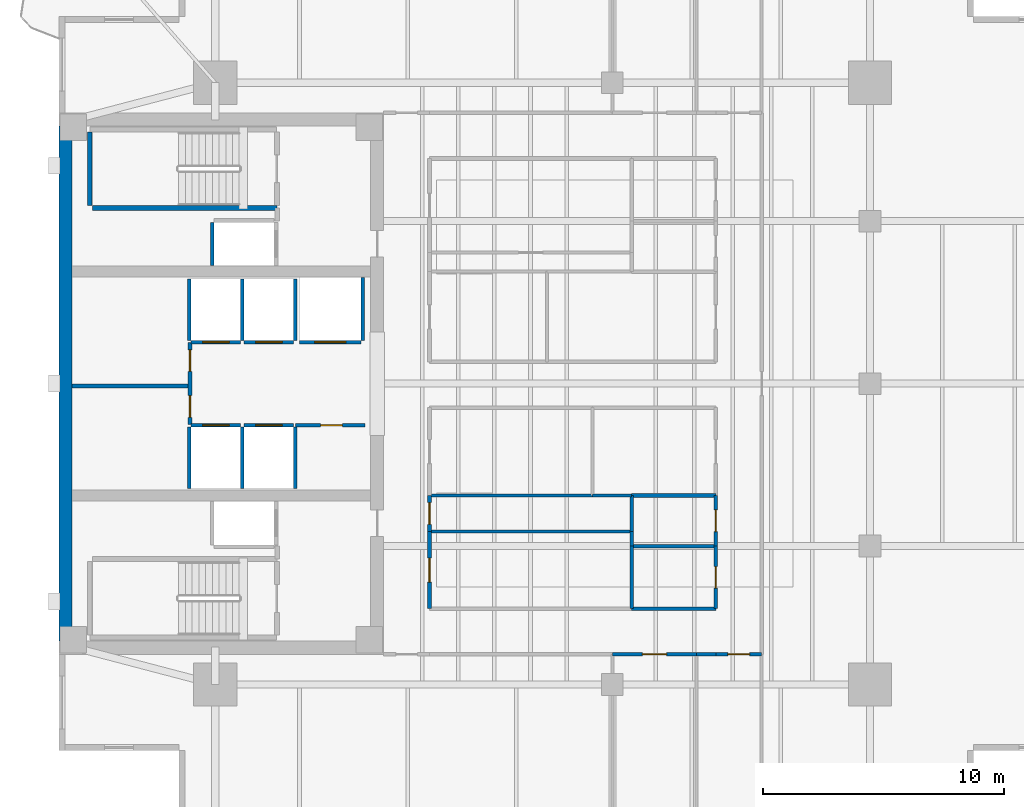
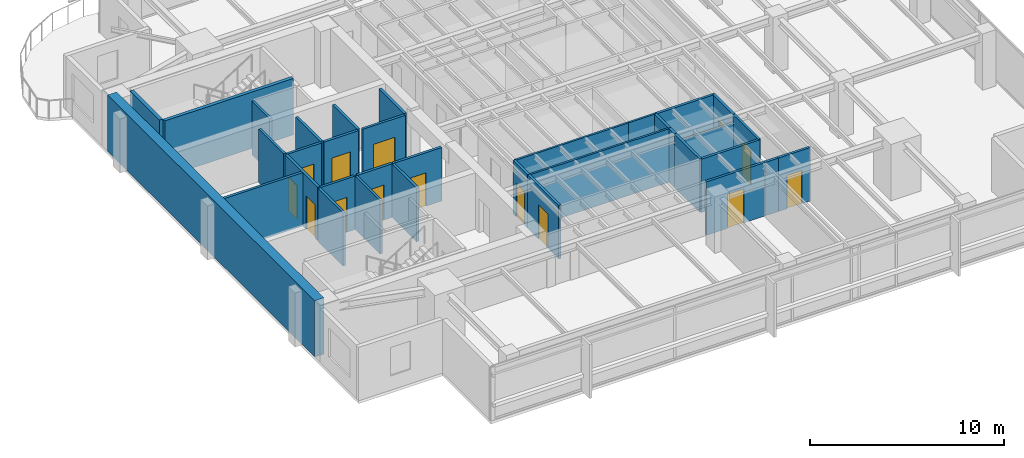
# One storey, part 8 of 14: 35 walls, 14 doors, 14 openings.
"""IFC4 building model written with IfcOpenShell, lengths in metres."""

import ifcopenshell
import ifcopenshell.guid

model = None  # the IFC model being written
_history = None  # IfcOwnerHistory: only IFC2X3 demands one
_inside = {}  # id of a spatial element -> (the spatial element, [elements in it])
_under = {}  # id of a project, library or spatial element -> (it, [spatial elements below it])
_declared = {}  # id of a project -> (the project, [libraries it declares])
_typed = {}  # id of a type object -> (the type object, [elements of that type])
_made_of = {}  # id of a material, layer set ... -> (it, [elements and type objects made of it])


def new_model(schema):
    """Start an empty IFC model of exactly this schema.

    Asked for "IFC4X3", IfcOpenShell would pick the latest addendum, in which some entities
    have other attributes; the version numbers below select the first issue.
    IFC2X3 requires an IfcOwnerHistory on every rooted entity: one is made here for all.
    """
    global model, _history
    if schema == "IFC4X3":
        model = ifcopenshell.file(schema_version=(4, 3, 0, 0))
    else:
        model = ifcopenshell.file(schema=schema)
    _inside.clear()
    _under.clear()
    _declared.clear()
    _typed.clear()
    _made_of.clear()
    _history = None
    if model.schema == "IFC2X3":
        org = make("IfcOrganization", Name="unknown")
        user = make(
            "IfcPersonAndOrganization",
            ThePerson=make("IfcPerson", FamilyName="unknown"),
            TheOrganization=org,
        )
        app = make(
            "IfcApplication",
            ApplicationDeveloper=org,
            Version="unknown",
            ApplicationFullName="unknown",
            ApplicationIdentifier="unknown",
        )
        _history = make(
            "IfcOwnerHistory",
            OwningUser=user,
            OwningApplication=app,
            ChangeAction="ADDED",
            CreationDate=0,
        )
    return model


def make(cls, **values):
    """One entity of the class cls with the attributes given. An attribute that is None is left unset."""
    return model.create_entity(
        cls, **{name: value for name, value in values.items() if value is not None}
    )


def rooted(cls, **values):
    """An entity with a GlobalId (a new one), such as an element, a storey or a relation."""
    return make(cls, GlobalId=ifcopenshell.guid.new(), OwnerHistory=_history, **values)


def si_unit(unit_type, name, prefix=None):
    """IfcSIUnit, for example si_unit("LENGTHUNIT", "METRE", prefix="MILLI")."""
    return make("IfcSIUnit", UnitType=unit_type, Prefix=prefix, Name=name)


def assignment(units):
    """IfcUnitAssignment: the units of a project."""
    return None if units is None else make("IfcUnitAssignment", Units=units)


def point(xyz):
    """IfcCartesianPoint."""
    return None if xyz is None else make("IfcCartesianPoint", Coordinates=xyz)


def direction(xyz):
    """IfcDirection."""
    return None if xyz is None else make("IfcDirection", DirectionRatios=xyz)


def frame(location, z_axis=None, x_axis=None):
    """IfcAxis2Placement3D, a coordinate frame: its origin and axes. An axis left out is left unset."""
    return make(
        "IfcAxis2Placement3D",
        Location=point(location),
        Axis=direction(z_axis),
        RefDirection=direction(x_axis),
    )


def frame_2d(location, x_axis=None):
    """IfcAxis2Placement2D, a coordinate frame in the plane: its origin and x axis."""
    return make(
        "IfcAxis2Placement2D", Location=point(location), RefDirection=direction(x_axis)
    )


def origin():
    """The frame at (0, 0, 0) with its axes left unset."""
    return frame((0.0, 0.0, 0.0))


def place(relative_to, where):
    """IfcLocalPlacement: puts the frame where relative to a parent placement (None: the world)."""
    return make(
        "IfcLocalPlacement", PlacementRelTo=relative_to, RelativePlacement=where
    )


def context(
    kind, dimensions, precision=None, world=None, true_north=None, identifier=None
):
    """IfcGeometricRepresentationContext, for example the 3D "Model" context."""
    return make(
        "IfcGeometricRepresentationContext",
        ContextIdentifier=identifier,
        ContextType=kind,
        CoordinateSpaceDimension=dimensions,
        Precision=precision,
        WorldCoordinateSystem=world,
        TrueNorth=true_north,
    )


def subcontext(parent, identifier, kind, view, scale=None):
    """IfcGeometricRepresentationSubContext, for example "Body" below "Model"."""
    return make(
        "IfcGeometricRepresentationSubContext",
        ContextIdentifier=identifier,
        ContextType=kind,
        ParentContext=parent,
        TargetScale=scale,
        TargetView=view,
    )


def project(units=None, contexts=None):
    """IfcProject with its units and contexts."""
    return rooted(
        "IfcProject",
        Name="project",
        RepresentationContexts=contexts,
        UnitsInContext=assignment(units),
    )


def spatial(cls, under=None, at=None, **own):
    """A site, building, storey or space (cls), placed at a placement, below another one or the project."""
    s = rooted(cls, ObjectPlacement=at, **own)
    if under is not None:
        _under.setdefault(under.id(), (under, []))[1].append(s)
    return s


def profile(cls, at=None, kind="AREA", **sizes):
    """A parametric profile (cls). Its sizes go by their IFC names, for example OverallWidth=200.0."""
    return make(cls, ProfileType=kind, Position=at, **sizes)


def rectangle(**sizes):
    """IfcRectangleProfileDef."""
    return profile("IfcRectangleProfileDef", **sizes)


def extrude(swept, where, along, depth):
    """IfcExtrudedAreaSolid: the profile swept, set in the frame where, extruded along a direction by depth."""
    return make(
        "IfcExtrudedAreaSolid",
        SweptArea=swept,
        Position=where,
        ExtrudedDirection=direction(along),
        Depth=depth,
    )


def shape(context_of_items, identifier, shape_type, items):
    """IfcShapeRepresentation: the items that make up one representation, for example the "Body"."""
    return make(
        "IfcShapeRepresentation",
        ContextOfItems=context_of_items,
        RepresentationIdentifier=identifier,
        RepresentationType=shape_type,
        Items=items,
    )


def material(Name=None, Category=None):
    """IfcMaterial."""
    return make("IfcMaterial", Name=Name, Category=Category)


def layer(
    of_material, thickness, ventilated=None, Name=None, Category=None, Priority=None
):
    """IfcMaterialLayer: one layer of a wall or slab, of a material (None: an air gap)."""
    return make(
        "IfcMaterialLayer",
        Material=of_material,
        LayerThickness=thickness,
        IsVentilated=ventilated,
        Name=Name,
        Category=Category,
        Priority=Priority,
    )


def layer_set(layers, Name=None):
    """IfcMaterialLayerSet."""
    return make("IfcMaterialLayerSet", MaterialLayers=layers, LayerSetName=Name)


def made_of(thing, what):
    """Note that an element or type object is made of a material, layer set ...; save() writes the relation."""
    if what is not None:
        _made_of.setdefault(what.id(), (what, []))[1].append(thing)
    return thing


def type_object(cls, material=None, **own):
    """A type object (cls), such as IfcWallType, which elements share."""
    return made_of(rooted(cls, **own), material)


def element(
    cls,
    number,
    at=None,
    inside=None,
    cuts=None,
    type_object=None,
    material=None,
    context=None,
    identifier="Body",
    shape_type=None,
    held_by="IfcProductDefinitionShape",
    body=None,
    shapes=None,
    **own,
):
    """One element of the class cls, such as IfcWall. Its Tag is "e" and its number.

    at: its placement. inside: the storey or other place that contains it. cuts: it is an
    opening in that element (IfcRelVoidsElement). A single representation is given by context,
    identifier, shape_type and body (its items); several are given by shapes. held_by: the class
    of the entity that holds the representations. save() writes the other relations.
    """
    e = rooted(cls, Tag="e%d" % number, ObjectPlacement=at, **own)
    if body is not None:
        shapes = [shape(context, identifier, shape_type, body)]
    if shapes is not None:
        e.Representation = make(held_by, Representations=shapes)
    if inside is not None:
        _inside.setdefault(inside.id(), (inside, []))[1].append(e)
    if cuts is not None:
        rooted(
            "IfcRelVoidsElement", RelatingBuildingElement=cuts, RelatedOpeningElement=e
        )
    if type_object is not None:
        _typed.setdefault(type_object.id(), (type_object, []))[1].append(e)
    return made_of(e, material)


def fill(opening, filler):
    """IfcRelFillsElement: the door or window that sits in an opening."""
    return rooted(
        "IfcRelFillsElement",
        RelatingOpeningElement=opening,
        RelatedBuildingElement=filler,
    )


def aggregate(whole, parts):
    """IfcRelAggregates: a whole, such as a stair, and the parts it consists of."""
    return rooted("IfcRelAggregates", RelatingObject=whole, RelatedObjects=parts)


def save(model, path):
    """Write the relations noted so far, then the file.

    IfcRelAggregates (storeys below a building ...), IfcRelContainedInSpatialStructure (elements
    in a storey), IfcRelDefinesByType, IfcRelAssociatesMaterial and IfcRelDeclares: one each for
    every whole, place, type object, material and project.
    """
    for whole, parts in _under.values():
        aggregate(whole, parts)
    for where, things in _inside.values():
        rooted(
            "IfcRelContainedInSpatialStructure",
            RelatedElements=things,
            RelatingStructure=where,
        )
    for kind, things in _typed.values():
        rooted("IfcRelDefinesByType", RelatedObjects=things, RelatingType=kind)
    for what, things in _made_of.values():
        rooted("IfcRelAssociatesMaterial", RelatedObjects=things, RelatingMaterial=what)
    for by, libraries in _declared.values():
        rooted("IfcRelDeclares", RelatingContext=by, RelatedDefinitions=libraries)
    model.write(path)


model = new_model("IFC4")

# Units and contexts
model_context = context("Model", 3, precision=1e-05, world=origin(), true_north=direction((0.0, 1.0)))
body_context = subcontext(model_context, "Body", "Model", "MODEL_VIEW")
ifc_project = project(units=[si_unit("LENGTHUNIT", "METRE"), si_unit("AREAUNIT", "SQUARE_METRE"), si_unit("VOLUMEUNIT", "CUBIC_METRE"), si_unit("PLANEANGLEUNIT", "RADIAN"), si_unit("MASSUNIT", "GRAM", prefix="KILO")], contexts=[model_context])

# Site, building, storey
site_placement = place(None, origin())
site = spatial("IfcSite", under=ifc_project, at=site_placement, CompositionType="ELEMENT")
building_placement = place(site_placement, origin())
building = spatial("IfcBuilding", under=site, at=building_placement, Name="Kinhvarn Gate Tower", CompositionType="ELEMENT")
storey_placement = place(building_placement, frame((0.0, 0.0, 216.449951171875)))
storey = spatial("IfcBuildingStorey", under=building, at=storey_placement, Name="L57", CompositionType="ELEMENT", Elevation=216.449951171875)

# Walls
ifc_material_1 = material(Name="Concrete C60/75", Category="concrete")
ifc_layer_1 = layer(ifc_material_1, 0.550048828125)
ifc_layer_set_1 = layer_set([ifc_layer_1], Name="Concrete C60/75")
wall_type_1 = type_object("IfcWallType", Name="WL-COREX-550", PredefinedType="SHEAR", material=ifc_layer_set_1)
wall_1_placement = place(storey_placement, frame((4.77490234375, 14.550048828125, 0.0), z_axis=(0.0, 0.0, 1.0), x_axis=(0.0, 1.0, 0.0)))
element("IfcWall", 1, at=wall_1_placement, inside=storey, type_object=wall_type_1, Name="Core West Shear Wall L57 550 mm", PredefinedType="SHEAR", context=body_context, shape_type="SweptSolid", body=[
    extrude(rectangle(XDim=21.39990234375, YDim=0.550048828125, at=frame_2d((10.699951171875, 0.0))), origin(), (0.0, 0.0, 1.0), 3.550048828125),
])
ifc_material_2 = material(Name="Gypsum acoustic partition board")
ifc_layer_2 = layer(ifc_material_2, 0.14990234375)
ifc_layer_set_2 = layer_set([ifc_layer_2], Name="Gypsum acoustic partition board")
wall_type_2 = type_object("IfcWallType", Name="WL-PLM-150", PredefinedType="PLUMBINGWALL", material=ifc_layer_set_2)
wall_2_placement = place(storey_placement, frame((28.300048828125, 18.5, 0.0), z_axis=(0.0, 0.0, 1.0), x_axis=(1.0, 0.0, 0.0)))
element("IfcWall", 2, at=wall_2_placement, inside=storey, type_object=wall_type_2, Name="Interior Partition PLW-150 (L57)", PredefinedType="PLUMBINGWALL", context=body_context, shape_type="SweptSolid", body=[
    extrude(rectangle(XDim=3.5, YDim=0.14990234375, at=frame_2d((1.75, 0.0))), origin(), (0.0, 0.0, 1.0), 2.8701171875),
])
wall_3_placement = place(storey_placement, frame((28.300048828125, 15.89990234375, 0.0), z_axis=(0.0, 0.0, 1.0), x_axis=(0.0, 1.0, 0.0)))
element("IfcWall", 3, at=wall_3_placement, inside=storey, type_object=wall_type_2, Name="Interior Partition PLW-150 (L57)", PredefinedType="PLUMBINGWALL", context=body_context, shape_type="SweptSolid", body=[
    extrude(rectangle(XDim=2.60009765625, YDim=0.14990234375, at=frame_2d((1.300048828125, 0.0))), origin(), (0.0, 0.0, 1.0), 3.3701171875),
])
wall_4_placement = place(storey_placement, frame((28.300048828125, 18.5, 0.0), z_axis=(0.0, 0.0, 1.0), x_axis=(0.0, 1.0, 0.0)))
element("IfcWall", 4, at=wall_4_placement, inside=storey, type_object=wall_type_2, Name="Interior Partition PLW-150 (L57)", PredefinedType="PLUMBINGWALL", context=body_context, shape_type="SweptSolid", body=[
    extrude(rectangle(XDim=0.60009765625, YDim=0.14990234375, at=frame_2d((0.300048828125, 0.0))), origin(), (0.0, 0.0, 1.0), 3.3701171875),
])
wall_5_placement = place(storey_placement, frame((28.300048828125, 19.10009765625, 0.0), z_axis=(0.0, 0.0, 1.0), x_axis=(0.0, 1.0, 0.0)))
element("IfcWall", 5, at=wall_5_placement, inside=storey, type_object=wall_type_2, Name="Interior Partition PLW-150 (L57)", PredefinedType="PLUMBINGWALL", context=body_context, shape_type="SweptSolid", body=[
    extrude(rectangle(XDim=1.5, YDim=0.14990234375, at=frame_2d((0.75, 0.0))), origin(), (0.0, 0.0, 1.0), 3.3701171875),
])
wall_6_placement = place(storey_placement, frame((28.300048828125, 20.60009765625, 0.0), z_axis=(0.0, 0.0, 1.0), x_axis=(1.0, 0.0, 0.0)))
element("IfcWall", 6, at=wall_6_placement, inside=storey, type_object=wall_type_2, Name="Interior Partition PLW-150 (L57)", PredefinedType="PLUMBINGWALL", context=body_context, shape_type="SweptSolid", body=[
    extrude(rectangle(XDim=3.5, YDim=0.14990234375, at=frame_2d((1.75, 0.0))), origin(), (0.0, 0.0, 1.0), 3.3701171875),
])

# Wall, opening, door
ifc_layer_3 = layer(ifc_material_2, 0.14990234375)
ifc_layer_set_3 = layer_set([ifc_layer_3], Name="Gypsum acoustic partition board")
wall_type_3 = type_object("IfcWallType", Name="WL-PLM-150F", PredefinedType="PLUMBINGWALL", material=ifc_layer_set_3)
wall_7_placement = place(storey_placement, frame((31.800048828125, 15.89990234375, 0.0), z_axis=(0.0, 0.0, 1.0), x_axis=(0.0, 1.0, 0.0)))
wall_7 = element("IfcWall", 7, at=wall_7_placement, inside=storey, type_object=wall_type_3, Name="Interior Partition PLW-150F (L57)", PredefinedType="PLUMBINGWALL", context=body_context, shape_type="SweptSolid", body=[
    extrude(rectangle(XDim=2.60009765625, YDim=0.14990234375, at=frame_2d((1.300048828125, 0.0))), origin(), (0.0, 0.0, 1.0), 3.3701171875),
])
opening_1_placement = place(wall_7_placement, frame((0.85009765625, 0.0, 0.0)))
opening_1 = element("IfcOpeningElement", 8, at=opening_1_placement, cuts=wall_7, Name="Opening FD-04", PredefinedType="OPENING", context=body_context, shape_type="SweptSolid", body=[
    extrude(rectangle(XDim=0.89990234375, YDim=2.10009765625, at=frame_2d((0.449951171875, 1.050048828125))), frame((0.0, 0.0849609375, 0.0), z_axis=(0.0, -1.0, 0.0), x_axis=(1.0, 0.0, 0.0)), (0.0, 0.0, 1.0), 0.169921875),
])
ifc_material_3 = material(Name="Anodised aluminium AW-6063", Category="aluminium")
door_type_1 = type_object("IfcDoorType", Name="DR-FD-900", OperationType="NOTDEFINED", PredefinedType="DOOR", material=ifc_material_3)
door_1_placement = place(opening_1_placement, origin())
door_1 = element("IfcDoor", 9, at=door_1_placement, inside=storey, type_object=door_type_1, Name="Rated Riser & Service Closet Fire Door 900x2100 mm (L57)", OperationType="SINGLE_SWING_RIGHT", OverallHeight=2.10009765625, OverallWidth=0.89990234375, PredefinedType="DOOR", context=body_context, shape_type="SweptSolid", body=[
    extrude(rectangle(XDim=0.89990234375, YDim=2.10009765625, at=frame_2d((0.449951171875, 1.050048828125))), frame((0.0, 0.02490234375, 0.0), z_axis=(0.0, -1.0, 0.0), x_axis=(1.0, 0.0, 0.0)), (0.0, 0.0, 1.0), 0.050048828125),
])
fill(opening_1, door_1)

wall_8_placement = place(storey_placement, frame((31.800048828125, 18.5, 0.0), z_axis=(0.0, 0.0, 1.0), x_axis=(0.0, 1.0, 0.0)))
wall_8 = element("IfcWall", 10, at=wall_8_placement, inside=storey, type_object=wall_type_3, Name="Interior Partition PLW-150F (L57)", PredefinedType="PLUMBINGWALL", context=body_context, shape_type="SweptSolid", body=[
    extrude(rectangle(XDim=2.10009765625, YDim=0.14990234375, at=frame_2d((1.050048828125, 0.0))), origin(), (0.0, 0.0, 1.0), 3.3701171875),
])
opening_2_placement = place(wall_8_placement, frame((0.60009765625, 0.0, 0.0)))
opening_2 = element("IfcOpeningElement", 11, at=opening_2_placement, cuts=wall_8, Name="Opening FD-04", PredefinedType="OPENING", context=body_context, shape_type="SweptSolid", body=[
    extrude(rectangle(XDim=0.89990234375, YDim=2.10009765625, at=frame_2d((0.449951171875, 1.050048828125))), frame((0.0, 0.0849609375, 0.0), z_axis=(0.0, -1.0, 0.0), x_axis=(1.0, 0.0, 0.0)), (0.0, 0.0, 1.0), 0.169921875),
])
door_2_placement = place(opening_2_placement, origin())
door_2 = element("IfcDoor", 12, at=door_2_placement, inside=storey, type_object=door_type_1, Name="Rated Riser & Service Closet Fire Door 900x2100 mm (L57)", OperationType="SINGLE_SWING_RIGHT", OverallHeight=2.10009765625, OverallWidth=0.89990234375, PredefinedType="DOOR", context=body_context, shape_type="SweptSolid", body=[
    extrude(rectangle(XDim=0.89990234375, YDim=2.10009765625, at=frame_2d((0.449951171875, 1.050048828125))), frame((0.0, 0.02490234375, 0.0), z_axis=(0.0, -1.0, 0.0), x_axis=(1.0, 0.0, 0.0)), (0.0, 0.0, 1.0), 0.050048828125),
])
fill(opening_2, door_2)

# Walls
wall_9_placement = place(storey_placement, frame((28.300048828125, 15.89990234375, 0.0), z_axis=(0.0, 0.0, 1.0), x_axis=(1.0, 0.0, 0.0)))
element("IfcWall", 13, at=wall_9_placement, inside=storey, type_object=wall_type_3, Name="Interior Partition PLW-150F (L57)", PredefinedType="PLUMBINGWALL", context=body_context, shape_type="SweptSolid", body=[
    extrude(rectangle(XDim=3.5, YDim=0.14990234375, at=frame_2d((1.75, 0.0))), origin(), (0.0, 0.0, 1.0), 3.3701171875),
])
ifc_layer_4 = layer(ifc_material_2, 0.1201171875)
ifc_layer_set_4 = layer_set([ifc_layer_4], Name="Gypsum acoustic partition board")
wall_type_4 = type_object("IfcWallType", Name="WL-PRT-120", PredefinedType="PARTITIONING", material=ifc_layer_set_4)
wall_10_placement = place(storey_placement, frame((19.89990234375, 19.10009765625, 0.0), z_axis=(0.0, 0.0, 1.0), x_axis=(1.0, 0.0, 0.0)))
element("IfcWall", 14, at=wall_10_placement, inside=storey, type_object=wall_type_4, Name="Interior Partition PW-120 (L57)", PredefinedType="PARTITIONING", context=body_context, shape_type="SweptSolid", body=[
    extrude(rectangle(XDim=8.400146484375, YDim=0.1201171875, at=frame_2d((4.2001953125, 0.0))), origin(), (0.0, 0.0, 1.0), 3.3701171875),
])
wall_11_placement = place(storey_placement, frame((19.89990234375, 20.60009765625, 0.0), z_axis=(0.0, 0.0, 1.0), x_axis=(1.0, 0.0, 0.0)))
element("IfcWall", 15, at=wall_11_placement, inside=storey, type_object=wall_type_4, Name="Interior Partition PW-120 (L57)", PredefinedType="PARTITIONING", context=body_context, shape_type="SweptSolid", body=[
    extrude(rectangle(XDim=6.780029296875, YDim=0.1201171875, at=frame_2d((3.39013671875, 0.0))), origin(), (0.0, 0.0, 1.0), 3.3701171875),
])
wall_12_placement = place(storey_placement, frame((26.679931640625, 20.60009765625, 0.0), z_axis=(0.0, 0.0, 1.0), x_axis=(1.0, 0.0, 0.0)))
element("IfcWall", 16, at=wall_12_placement, inside=storey, type_object=wall_type_4, Name="Interior Partition PW-120 (L57)", PredefinedType="PARTITIONING", context=body_context, shape_type="SweptSolid", body=[
    extrude(rectangle(XDim=1.6201171875, YDim=0.1201171875, at=frame_2d((0.81005859375, 0.0))), origin(), (0.0, 0.0, 1.0), 3.3701171875),
])
ifc_layer_5 = layer(ifc_material_2, 0.14990234375)
ifc_layer_set_5 = layer_set([ifc_layer_5], Name="Gypsum acoustic partition board")
wall_type_5 = type_object("IfcWallType", Name="WL-PRT-150F", PredefinedType="PARTITIONING", material=ifc_layer_set_5)
wall_13_placement = place(storey_placement, frame((5.050048828125, 25.14990234375, 0.0), z_axis=(0.0, 0.0, 1.0), x_axis=(1.0, 0.0, 0.0)))
element("IfcWall", 17, at=wall_13_placement, inside=storey, type_object=wall_type_5, Name="Interior Partition PW-150F (L57)", PredefinedType="PARTITIONING", context=body_context, shape_type="SweptSolid", body=[
    extrude(rectangle(XDim=4.89990234375, YDim=0.14990234375, at=frame_2d((2.449951171875, 0.0))), origin(), (0.0, 0.0, 1.0), 3.3701171875),
])

# Wall, openings, doors
wall_14_placement = place(storey_placement, frame((9.949951171875, 23.550048828125, 0.0), z_axis=(0.0, 0.0, 1.0), x_axis=(0.0, 1.0, 0.0)))
wall_14 = element("IfcWall", 18, at=wall_14_placement, inside=storey, type_object=wall_type_5, Name="Interior Partition PW-150F (L57)", PredefinedType="PARTITIONING", context=body_context, shape_type="SweptSolid", body=[
    extrude(rectangle(XDim=3.39990234375, YDim=0.14990234375, at=frame_2d((1.699951171875, 0.0))), origin(), (0.0, 0.0, 1.0), 3.3701171875),
])
opening_3_placement = place(wall_14_placement, frame((0.298095703125, 0.0, 0.0)))
opening_3 = element("IfcOpeningElement", 19, at=opening_3_placement, cuts=wall_14, Name="Opening FD-04", PredefinedType="OPENING", context=body_context, shape_type="SweptSolid", body=[
    extrude(rectangle(XDim=0.89990234375, YDim=2.10009765625, at=frame_2d((0.449951171875, 1.050048828125))), frame((0.0, 0.0849609375, 0.0), z_axis=(0.0, -1.0, 0.0), x_axis=(1.0, 0.0, 0.0)), (0.0, 0.0, 1.0), 0.169921875),
])
opening_4_placement = place(wall_14_placement, frame((2.201904296875, 0.0, 0.0)))
opening_4 = element("IfcOpeningElement", 20, at=opening_4_placement, cuts=wall_14, Name="Opening FD-04", PredefinedType="OPENING", context=body_context, shape_type="SweptSolid", body=[
    extrude(rectangle(XDim=0.89990234375, YDim=2.10009765625, at=frame_2d((0.449951171875, 1.050048828125))), frame((0.0, 0.0849609375, 0.0), z_axis=(0.0, -1.0, 0.0), x_axis=(1.0, 0.0, 0.0)), (0.0, 0.0, 1.0), 0.169921875),
])
door_3_placement = place(opening_3_placement, origin())
door_3 = element("IfcDoor", 21, at=door_3_placement, inside=storey, type_object=door_type_1, Name="Rated Riser & Service Closet Fire Door 900x2100 mm (L57)", OperationType="SINGLE_SWING_RIGHT", OverallHeight=2.10009765625, OverallWidth=0.89990234375, PredefinedType="DOOR", context=body_context, shape_type="SweptSolid", body=[
    extrude(rectangle(XDim=0.89990234375, YDim=2.10009765625, at=frame_2d((0.449951171875, 1.050048828125))), frame((0.0, 0.02490234375, 0.0), z_axis=(0.0, -1.0, 0.0), x_axis=(1.0, 0.0, 0.0)), (0.0, 0.0, 1.0), 0.050048828125),
])
fill(opening_3, door_3)
door_4_placement = place(opening_4_placement, origin())
door_4 = element("IfcDoor", 22, at=door_4_placement, inside=storey, type_object=door_type_1, Name="Rated Riser & Service Closet Fire Door 900x2100 mm (L57)", OperationType="SINGLE_SWING_LEFT", OverallHeight=2.10009765625, OverallWidth=0.89990234375, PredefinedType="DOOR", context=body_context, shape_type="SweptSolid", body=[
    extrude(rectangle(XDim=0.89990234375, YDim=2.10009765625, at=frame_2d((0.449951171875, 1.050048828125))), frame((0.0, 0.02490234375, 0.0), z_axis=(0.0, -1.0, 0.0), x_axis=(1.0, 0.0, 0.0)), (0.0, 0.0, 1.0), 0.050048828125),
])
fill(opening_4, door_4)

# Wall, opening, door
wall_15_placement = place(storey_placement, frame((14.330078125, 23.52001953125, 0.0), z_axis=(0.0, 0.0, 1.0), x_axis=(1.0, 0.0, 0.0)))
wall_15 = element("IfcWall", 23, at=wall_15_placement, inside=storey, type_object=wall_type_5, Name="Interior Partition PW-150F (L57)", PredefinedType="PARTITIONING", context=body_context, shape_type="SweptSolid", body=[
    extrude(rectangle(XDim=2.889892578125, YDim=0.14990234375, at=frame_2d((1.44482421875, 0.0))), origin(), (0.0, 0.0, 1.0), 3.3701171875),
])
opening_5_placement = place(wall_15_placement, frame((1.052734375, 0.0, 0.0)))
opening_5 = element("IfcOpeningElement", 24, at=opening_5_placement, cuts=wall_15, Name="Opening FD-04", PredefinedType="OPENING", context=body_context, shape_type="SweptSolid", body=[
    extrude(rectangle(XDim=0.89990234375, YDim=2.10009765625, at=frame_2d((0.449951171875, 1.050048828125))), frame((0.0, 0.0849609375, 0.0), z_axis=(0.0, -1.0, 0.0), x_axis=(1.0, 0.0, 0.0)), (0.0, 0.0, 1.0), 0.169921875),
])
door_5_placement = place(opening_5_placement, origin())
door_5 = element("IfcDoor", 25, at=door_5_placement, inside=storey, type_object=door_type_1, Name="Rated Riser & Service Closet Fire Door 900x2100 mm (L57)", OperationType="SINGLE_SWING_RIGHT", OverallHeight=2.10009765625, OverallWidth=0.89990234375, PredefinedType="DOOR", context=body_context, shape_type="SweptSolid", body=[
    extrude(rectangle(XDim=0.89990234375, YDim=2.10009765625, at=frame_2d((0.449951171875, 1.050048828125))), frame((0.0, 0.02490234375, 0.0), z_axis=(0.0, -1.0, 0.0), x_axis=(1.0, 0.0, 0.0)), (0.0, 0.0, 1.0), 0.050048828125),
])
fill(opening_5, door_5)

wall_16_placement = place(storey_placement, frame((19.89990234375, 15.89990234375, 0.0), z_axis=(0.0, 0.0, 1.0), x_axis=(0.0, 1.0, 0.0)))
wall_16 = element("IfcWall", 26, at=wall_16_placement, inside=storey, type_object=wall_type_5, Name="Interior Partition PW-150F (L57)", PredefinedType="PARTITIONING", context=body_context, shape_type="SweptSolid", body=[
    extrude(rectangle(XDim=3.2001953125, YDim=0.14990234375, at=frame_2d((1.60009765625, 0.0))), origin(), (0.0, 0.0, 1.0), 3.3701171875),
])
opening_6_placement = place(wall_16_placement, frame((1.10009765625, 0.0, 0.0)))
opening_6 = element("IfcOpeningElement", 27, at=opening_6_placement, cuts=wall_16, Name="Opening ID-02", PredefinedType="OPENING", context=body_context, shape_type="SweptSolid", body=[
    extrude(rectangle(XDim=1.0, YDim=2.14990234375, at=frame_2d((0.5, 1.074951171875))), frame((0.0, 0.0849609375, 0.0), z_axis=(0.0, -1.0, 0.0), x_axis=(1.0, 0.0, 0.0)), (0.0, 0.0, 1.0), 0.169921875),
])
door_type_2 = type_object("IfcDoorType", Name="DR-INT-1000", OperationType="NOTDEFINED", PredefinedType="DOOR", material=ifc_material_3)
door_6_placement = place(opening_6_placement, origin())
door_6 = element("IfcDoor", 28, at=door_6_placement, inside=storey, type_object=door_type_2, Name="Standard Office & Meeting Room Door 1000x2150 mm (L57)", OperationType="SINGLE_SWING_LEFT", OverallHeight=2.14990234375, OverallWidth=1.0, PredefinedType="DOOR", context=body_context, shape_type="SweptSolid", body=[
    extrude(rectangle(XDim=1.0, YDim=2.14990234375, at=frame_2d((0.5, 1.074951171875))), frame((0.0, 0.02490234375, 0.0), z_axis=(0.0, -1.0, 0.0), x_axis=(1.0, 0.0, 0.0)), (0.0, 0.0, 1.0), 0.050048828125),
])
fill(opening_6, door_6)

wall_17_placement = place(storey_placement, frame((19.89990234375, 19.10009765625, 0.0), z_axis=(0.0, 0.0, 1.0), x_axis=(0.0, 1.0, 0.0)))
wall_17 = element("IfcWall", 29, at=wall_17_placement, inside=storey, type_object=wall_type_5, Name="Interior Partition PW-150F (L57)", PredefinedType="PARTITIONING", context=body_context, shape_type="SweptSolid", body=[
    extrude(rectangle(XDim=1.5, YDim=0.14990234375, at=frame_2d((0.75, 0.0))), origin(), (0.0, 0.0, 1.0), 3.3701171875),
])
opening_7_placement = place(wall_17_placement, frame((0.300048828125, 0.0, 0.0)))
opening_7 = element("IfcOpeningElement", 30, at=opening_7_placement, cuts=wall_17, Name="Opening ID-03", PredefinedType="OPENING", context=body_context, shape_type="SweptSolid", body=[
    extrude(rectangle(XDim=0.89990234375, YDim=2.10009765625, at=frame_2d((0.449951171875, 1.050048828125))), frame((0.0, 0.0849609375, 0.0), z_axis=(0.0, -1.0, 0.0), x_axis=(1.0, 0.0, 0.0)), (0.0, 0.0, 1.0), 0.169921875),
])
door_type_3 = type_object("IfcDoorType", Name="DR-INT-900", OperationType="NOTDEFINED", PredefinedType="DOOR", material=ifc_material_3)
door_7_placement = place(opening_7_placement, origin())
door_7 = element("IfcDoor", 31, at=door_7_placement, inside=storey, type_object=door_type_3, Name="Cellular Office & Restroom Door 900x2100 mm (L57)", OperationType="SINGLE_SWING_RIGHT", OverallHeight=2.10009765625, OverallWidth=0.89990234375, PredefinedType="DOOR", context=body_context, shape_type="SweptSolid", body=[
    extrude(rectangle(XDim=0.89990234375, YDim=2.10009765625, at=frame_2d((0.449951171875, 1.050048828125))), frame((0.0, 0.02490234375, 0.0), z_axis=(0.0, -1.0, 0.0), x_axis=(1.0, 0.0, 0.0)), (0.0, 0.0, 1.0), 0.050048828125),
])
fill(opening_7, door_7)

wall_18_placement = place(storey_placement, frame((31.800048828125, 14.0, 0.0), z_axis=(0.0, 0.0, 1.0), x_axis=(1.0, 0.0, 0.0)))
wall_18 = element("IfcWall", 32, at=wall_18_placement, inside=storey, type_object=wall_type_5, Name="Interior Partition PW-150F (L57)", PredefinedType="PARTITIONING", context=body_context, shape_type="SweptSolid", body=[
    extrude(rectangle(XDim=1.89990234375, YDim=0.14990234375, at=frame_2d((0.949951171875, 0.0))), origin(), (0.0, 0.0, 1.0), 3.3701171875),
])
opening_8_placement = place(wall_18_placement, frame((0.5, 0.0, 0.0)))
opening_8 = element("IfcOpeningElement", 33, at=opening_8_placement, cuts=wall_18, Name="Opening ID-03", PredefinedType="OPENING", context=body_context, shape_type="SweptSolid", body=[
    extrude(rectangle(XDim=0.89990234375, YDim=2.10009765625, at=frame_2d((0.449951171875, 1.050048828125))), frame((0.0, 0.0849609375, 0.0), z_axis=(0.0, -1.0, 0.0), x_axis=(1.0, 0.0, 0.0)), (0.0, 0.0, 1.0), 0.169921875),
])
door_8_placement = place(opening_8_placement, origin())
door_8 = element("IfcDoor", 34, at=door_8_placement, inside=storey, type_object=door_type_3, Name="Cellular Office & Restroom Door 900x2100 mm (L57)", OperationType="SINGLE_SWING_RIGHT", OverallHeight=2.10009765625, OverallWidth=0.89990234375, PredefinedType="DOOR", context=body_context, shape_type="SweptSolid", body=[
    extrude(rectangle(XDim=0.89990234375, YDim=2.10009765625, at=frame_2d((0.449951171875, 1.050048828125))), frame((0.0, 0.02490234375, 0.0), z_axis=(0.0, -1.0, 0.0), x_axis=(1.0, 0.0, 0.0)), (0.0, 0.0, 1.0), 0.050048828125),
])
fill(opening_8, door_8)

wall_19_placement = place(storey_placement, frame((27.5, 14.0, 0.0), z_axis=(0.0, 0.0, 1.0), x_axis=(1.0, 0.0, 0.0)))
wall_19 = element("IfcWall", 35, at=wall_19_placement, inside=storey, type_object=wall_type_5, Name="Interior Partition PW-150F (L57)", PredefinedType="PARTITIONING", context=body_context, shape_type="SweptSolid", body=[
    extrude(rectangle(XDim=3.5, YDim=0.14990234375, at=frame_2d((1.75, 0.0))), origin(), (0.0, 0.0, 1.0), 3.3701171875),
])
opening_9_placement = place(wall_19_placement, frame((1.25, 0.0, 0.0)))
opening_9 = element("IfcOpeningElement", 36, at=opening_9_placement, cuts=wall_19, Name="Opening ID-02", PredefinedType="OPENING", context=body_context, shape_type="SweptSolid", body=[
    extrude(rectangle(XDim=1.0, YDim=2.14990234375, at=frame_2d((0.5, 1.074951171875))), frame((0.0, 0.0849609375, 0.0), z_axis=(0.0, -1.0, 0.0), x_axis=(1.0, 0.0, 0.0)), (0.0, 0.0, 1.0), 0.169921875),
])
door_9_placement = place(opening_9_placement, origin())
door_9 = element("IfcDoor", 37, at=door_9_placement, inside=storey, type_object=door_type_2, Name="Standard Office & Meeting Room Door 1000x2150 mm (L57)", OperationType="SINGLE_SWING_LEFT", OverallHeight=2.14990234375, OverallWidth=1.0, PredefinedType="DOOR", context=body_context, shape_type="SweptSolid", body=[
    extrude(rectangle(XDim=1.0, YDim=2.14990234375, at=frame_2d((0.5, 1.074951171875))), frame((0.0, 0.02490234375, 0.0), z_axis=(0.0, -1.0, 0.0), x_axis=(1.0, 0.0, 0.0)), (0.0, 0.0, 1.0), 0.050048828125),
])
fill(opening_9, door_9)

# Wall
wall_20_placement = place(storey_placement, frame((31.0, 14.0, 0.0), z_axis=(0.0, 0.0, 1.0), x_axis=(1.0, 0.0, 0.0)))
element("IfcWall", 38, at=wall_20_placement, inside=storey, type_object=wall_type_5, Name="Interior Partition PW-150F (L57)", PredefinedType="PARTITIONING", context=body_context, shape_type="SweptSolid", body=[
    extrude(rectangle(XDim=0.800048828125, YDim=0.14990234375, at=frame_2d((0.39990234375, 0.0))), origin(), (0.0, 0.0, 1.0), 3.3701171875),
])

# Wall, opening, door
ifc_layer_6 = layer(ifc_material_2, 0.14990234375)
ifc_layer_set_6 = layer_set([ifc_layer_6], Name="Gypsum acoustic partition board")
wall_type_6 = type_object("IfcWallType", Name="WL-SHF-150", PredefinedType="PARTITIONING", material=ifc_layer_set_6)
wall_21_placement = place(storey_placement, frame((10.0, 23.52490234375, 0.0), z_axis=(0.0, 0.0, 1.0), x_axis=(1.0, 0.0, 0.0)))
wall_21 = element("IfcWall", 39, at=wall_21_placement, inside=storey, type_object=wall_type_6, Name="Elevator PH-09 Landing Wall (L57)", PredefinedType="PARTITIONING", context=body_context, shape_type="SweptSolid", body=[
    extrude(rectangle(XDim=2.050048828125, YDim=0.14990234375, at=frame_2d((1.02490234375, 0.0))), origin(), (0.0, 0.0, 1.0), 3.3701171875),
])
opening_10_placement = place(wall_21_placement, frame((0.47509765625, 0.0, 0.0)))
opening_10 = element("IfcOpeningElement", 40, at=opening_10_placement, cuts=wall_21, Name="Opening LD-01", PredefinedType="OPENING", context=body_context, shape_type="SweptSolid", body=[
    extrude(rectangle(XDim=1.10009765625, YDim=2.199951171875, at=frame_2d((0.550048828125, 1.10009765625))), frame((0.0, 0.0849609375, 0.0), z_axis=(0.0, -1.0, 0.0), x_axis=(1.0, 0.0, 0.0)), (0.0, 0.0, 1.0), 0.169921875),
])
door_type_4 = type_object("IfcDoorType", Name="DR-LND-PAS", OperationType="NOTDEFINED", PredefinedType="DOOR", material=ifc_material_3)
door_10_placement = place(opening_10_placement, origin())
door_10 = element("IfcDoor", 41, at=door_10_placement, inside=storey, type_object=door_type_4, Name="Elevator PH-09 Sliding Landing Door (L57)", OperationType="DOUBLE_DOOR_SLIDING", OverallHeight=2.199951171875, OverallWidth=1.10009765625, PredefinedType="DOOR", context=body_context, shape_type="SweptSolid", body=[
    extrude(rectangle(XDim=1.10009765625, YDim=2.199951171875, at=frame_2d((0.550048828125, 1.10009765625))), frame((0.0, 0.02490234375, 0.0), z_axis=(0.0, -1.0, 0.0), x_axis=(1.0, 0.0, 0.0)), (0.0, 0.0, 1.0), 0.050048828125),
])
fill(opening_10, door_10)

# Walls
for number, where, z_axis, x_axis, name in (
    (42, (9.925048828125, 20.89990234375, 0.0), (0.0, 0.0, 1.0), (0.0, 1.0, 0.0), "Elevator PH-09 Hoistway Wall W (L57)"),
    (43, (12.125, 20.89990234375, 0.0), (0.0, 0.0, 1.0), (0.0, 1.0, 0.0), "Elevator PH-09 Hoistway Wall E (L57)"),
):
    element("IfcWall", number, at=place(storey_placement, frame(where, z_axis=z_axis, x_axis=x_axis)), inside=storey, type_object=wall_type_6, Name=name, PredefinedType="PARTITIONING", context=body_context, shape_type="SweptSolid", body=[
        extrude(rectangle(XDim=2.550048828125, YDim=0.14990234375, at=frame_2d((1.27490234375, 0.0))), origin(), (0.0, 0.0, 1.0), 3.3701171875),
    ])

# Wall, opening, door
wall_22_placement = place(storey_placement, frame((12.199951171875, 23.52490234375, 0.0), z_axis=(0.0, 0.0, 1.0), x_axis=(1.0, 0.0, 0.0)))
wall_22 = element("IfcWall", 44, at=wall_22_placement, inside=storey, type_object=wall_type_6, Name="Elevator PH-10 Landing Wall (L57)", PredefinedType="PARTITIONING", context=body_context, shape_type="SweptSolid", body=[
    extrude(rectangle(XDim=2.050048828125, YDim=0.14990234375, at=frame_2d((1.02490234375, 0.0))), origin(), (0.0, 0.0, 1.0), 3.3701171875),
])
opening_11_placement = place(wall_22_placement, frame((0.47509765625, 0.0, 0.0)))
opening_11 = element("IfcOpeningElement", 45, at=opening_11_placement, cuts=wall_22, Name="Opening LD-01", PredefinedType="OPENING", context=body_context, shape_type="SweptSolid", body=[
    extrude(rectangle(XDim=1.10009765625, YDim=2.199951171875, at=frame_2d((0.550048828125, 1.10009765625))), frame((0.0, 0.0849609375, 0.0), z_axis=(0.0, -1.0, 0.0), x_axis=(1.0, 0.0, 0.0)), (0.0, 0.0, 1.0), 0.169921875),
])
door_11_placement = place(opening_11_placement, origin())
door_11 = element("IfcDoor", 46, at=door_11_placement, inside=storey, type_object=door_type_4, Name="Elevator PH-10 Sliding Landing Door (L57)", OperationType="DOUBLE_DOOR_SLIDING", OverallHeight=2.199951171875, OverallWidth=1.10009765625, PredefinedType="DOOR", context=body_context, shape_type="SweptSolid", body=[
    extrude(rectangle(XDim=1.10009765625, YDim=2.199951171875, at=frame_2d((0.550048828125, 1.10009765625))), frame((0.0, 0.02490234375, 0.0), z_axis=(0.0, -1.0, 0.0), x_axis=(1.0, 0.0, 0.0)), (0.0, 0.0, 1.0), 0.050048828125),
])
fill(opening_11, door_11)

# Wall
wall_23_placement = place(storey_placement, frame((14.324951171875, 20.89990234375, 0.0), z_axis=(0.0, 0.0, 1.0), x_axis=(0.0, 1.0, 0.0)))
element("IfcWall", 47, at=wall_23_placement, inside=storey, type_object=wall_type_6, Name="Elevator PH-10 Hoistway Wall E (L57)", PredefinedType="PARTITIONING", context=body_context, shape_type="SweptSolid", body=[
    extrude(rectangle(XDim=2.550048828125, YDim=0.14990234375, at=frame_2d((1.27490234375, 0.0))), origin(), (0.0, 0.0, 1.0), 3.3701171875),
])

# Wall, opening, door
wall_24_placement = place(storey_placement, frame((10.0, 26.97509765625, 0.0), z_axis=(0.0, 0.0, 1.0), x_axis=(1.0, 0.0, 0.0)))
wall_24 = element("IfcWall", 48, at=wall_24_placement, inside=storey, type_object=wall_type_6, Name="Elevator PH-11 Landing Wall (L57)", PredefinedType="PARTITIONING", context=body_context, shape_type="SweptSolid", body=[
    extrude(rectangle(XDim=2.050048828125, YDim=0.14990234375, at=frame_2d((1.02490234375, 0.0))), origin(), (0.0, 0.0, 1.0), 3.3701171875),
])
opening_12_placement = place(wall_24_placement, frame((0.47509765625, 0.0, 0.0)))
opening_12 = element("IfcOpeningElement", 49, at=opening_12_placement, cuts=wall_24, Name="Opening LD-01", PredefinedType="OPENING", context=body_context, shape_type="SweptSolid", body=[
    extrude(rectangle(XDim=1.10009765625, YDim=2.199951171875, at=frame_2d((0.550048828125, 1.10009765625))), frame((0.0, 0.0849609375, 0.0), z_axis=(0.0, -1.0, 0.0), x_axis=(1.0, 0.0, 0.0)), (0.0, 0.0, 1.0), 0.169921875),
])
door_12_placement = place(opening_12_placement, origin())
door_12 = element("IfcDoor", 50, at=door_12_placement, inside=storey, type_object=door_type_4, Name="Elevator PH-11 Sliding Landing Door (L57)", OperationType="DOUBLE_DOOR_SLIDING", OverallHeight=2.199951171875, OverallWidth=1.10009765625, PredefinedType="DOOR", context=body_context, shape_type="SweptSolid", body=[
    extrude(rectangle(XDim=1.10009765625, YDim=2.199951171875, at=frame_2d((0.550048828125, 1.10009765625))), frame((0.0, 0.02490234375, 0.0), z_axis=(0.0, -1.0, 0.0), x_axis=(1.0, 0.0, 0.0)), (0.0, 0.0, 1.0), 0.050048828125),
])
fill(opening_12, door_12)

# Walls
for number, where, z_axis, x_axis, name in (
    (51, (9.925048828125, 27.050048828125, 0.0), (0.0, 0.0, 1.0), (0.0, 1.0, 0.0), "Elevator PH-11 Hoistway Wall W (L57)"),
    (52, (12.125, 27.050048828125, 0.0), (0.0, 0.0, 1.0), (0.0, 1.0, 0.0), "Elevator PH-11 Hoistway Wall E (L57)"),
):
    element("IfcWall", number, at=place(storey_placement, frame(where, z_axis=z_axis, x_axis=x_axis)), inside=storey, type_object=wall_type_6, Name=name, PredefinedType="PARTITIONING", context=body_context, shape_type="SweptSolid", body=[
        extrude(rectangle(XDim=2.550048828125, YDim=0.14990234375, at=frame_2d((1.27490234375, 0.0))), origin(), (0.0, 0.0, 1.0), 3.3701171875),
    ])

# Wall, opening, door
wall_25_placement = place(storey_placement, frame((12.199951171875, 26.97509765625, 0.0), z_axis=(0.0, 0.0, 1.0), x_axis=(1.0, 0.0, 0.0)))
wall_25 = element("IfcWall", 53, at=wall_25_placement, inside=storey, type_object=wall_type_6, Name="Elevator PH-12 Landing Wall (L57)", PredefinedType="PARTITIONING", context=body_context, shape_type="SweptSolid", body=[
    extrude(rectangle(XDim=2.050048828125, YDim=0.14990234375, at=frame_2d((1.02490234375, 0.0))), origin(), (0.0, 0.0, 1.0), 3.3701171875),
])
opening_13_placement = place(wall_25_placement, frame((0.47509765625, 0.0, 0.0)))
opening_13 = element("IfcOpeningElement", 54, at=opening_13_placement, cuts=wall_25, Name="Opening LD-01", PredefinedType="OPENING", context=body_context, shape_type="SweptSolid", body=[
    extrude(rectangle(XDim=1.10009765625, YDim=2.199951171875, at=frame_2d((0.550048828125, 1.10009765625))), frame((0.0, 0.0849609375, 0.0), z_axis=(0.0, -1.0, 0.0), x_axis=(1.0, 0.0, 0.0)), (0.0, 0.0, 1.0), 0.169921875),
])
door_13_placement = place(opening_13_placement, origin())
door_13 = element("IfcDoor", 55, at=door_13_placement, inside=storey, type_object=door_type_4, Name="Elevator PH-12 Sliding Landing Door (L57)", OperationType="DOUBLE_DOOR_SLIDING", OverallHeight=2.199951171875, OverallWidth=1.10009765625, PredefinedType="DOOR", context=body_context, shape_type="SweptSolid", body=[
    extrude(rectangle(XDim=1.10009765625, YDim=2.199951171875, at=frame_2d((0.550048828125, 1.10009765625))), frame((0.0, 0.02490234375, 0.0), z_axis=(0.0, -1.0, 0.0), x_axis=(1.0, 0.0, 0.0)), (0.0, 0.0, 1.0), 0.050048828125),
])
fill(opening_13, door_13)

# Wall
wall_26_placement = place(storey_placement, frame((14.324951171875, 27.050048828125, 0.0), z_axis=(0.0, 0.0, 1.0), x_axis=(0.0, 1.0, 0.0)))
element("IfcWall", 56, at=wall_26_placement, inside=storey, type_object=wall_type_6, Name="Elevator PH-12 Hoistway Wall E (L57)", PredefinedType="PARTITIONING", context=body_context, shape_type="SweptSolid", body=[
    extrude(rectangle(XDim=2.550048828125, YDim=0.14990234375, at=frame_2d((1.27490234375, 0.0))), origin(), (0.0, 0.0, 1.0), 3.3701171875),
])

# Wall, opening, door
wall_27_placement = place(storey_placement, frame((14.5, 26.97509765625, 0.0), z_axis=(0.0, 0.0, 1.0), x_axis=(1.0, 0.0, 0.0)))
wall_27 = element("IfcWall", 57, at=wall_27_placement, inside=storey, type_object=wall_type_6, Name="Elevator SV-01 Landing Wall (L57)", PredefinedType="PARTITIONING", context=body_context, shape_type="SweptSolid", body=[
    extrude(rectangle(XDim=2.550048828125, YDim=0.14990234375, at=frame_2d((1.27490234375, 0.0))), origin(), (0.0, 0.0, 1.0), 3.3701171875),
])
opening_14_placement = place(wall_27_placement, frame((0.625, 0.0, 0.0)))
opening_14 = element("IfcOpeningElement", 58, at=opening_14_placement, cuts=wall_27, Name="Opening LD-02", PredefinedType="OPENING", context=body_context, shape_type="SweptSolid", body=[
    extrude(rectangle(XDim=1.300048828125, YDim=2.199951171875, at=frame_2d((0.64990234375, 1.10009765625))), frame((0.0, 0.0849609375, 0.0), z_axis=(0.0, -1.0, 0.0), x_axis=(1.0, 0.0, 0.0)), (0.0, 0.0, 1.0), 0.169921875),
])
door_type_5 = type_object("IfcDoorType", Name="DR-LND-SRV", OperationType="NOTDEFINED", PredefinedType="DOOR", material=ifc_material_3)
door_14_placement = place(opening_14_placement, origin())
door_14 = element("IfcDoor", 59, at=door_14_placement, inside=storey, type_object=door_type_5, Name="Elevator SV-01 Sliding Landing Door (L57)", OperationType="DOUBLE_DOOR_SLIDING", OverallHeight=2.199951171875, OverallWidth=1.300048828125, PredefinedType="DOOR", context=body_context, shape_type="SweptSolid", body=[
    extrude(rectangle(XDim=1.300048828125, YDim=2.199951171875, at=frame_2d((0.64990234375, 1.10009765625))), frame((0.0, 0.02490234375, 0.0), z_axis=(0.0, -1.0, 0.0), x_axis=(1.0, 0.0, 0.0)), (0.0, 0.0, 1.0), 0.050048828125),
])
fill(opening_14, door_14)

# Walls
wall_28_placement = place(storey_placement, frame((17.125, 27.050048828125, 0.0), z_axis=(0.0, 0.0, 1.0), x_axis=(0.0, 1.0, 0.0)))
element("IfcWall", 60, at=wall_28_placement, inside=storey, type_object=wall_type_6, Name="Elevator SV-01 Hoistway Wall E (L57)", PredefinedType="PARTITIONING", context=body_context, shape_type="SweptSolid", body=[
    extrude(rectangle(XDim=2.599853515625, YDim=0.14990234375, at=frame_2d((1.2998046875, 0.0))), origin(), (0.0, 0.0, 1.0), 3.3701171875),
])
wall_29_placement = place(storey_placement, frame((10.875, 30.14990234375, 0.0), z_axis=(0.0, 0.0, 1.0), x_axis=(0.0, 1.0, 0.0)))
element("IfcWall", 61, at=wall_29_placement, inside=storey, type_object=wall_type_6, Name="Elevator FF2 Hoistway Wall W (L57)", PredefinedType="PARTITIONING", context=body_context, shape_type="SweptSolid", body=[
    extrude(rectangle(XDim=1.800048828125, YDim=0.14990234375, at=frame_2d((0.89990234375, 0.0))), origin(), (0.0, 0.0, 1.0), 3.3701171875),
])
ifc_material_4 = material(Name="Concrete C40/50", Category="concrete")
ifc_layer_7 = layer(ifc_material_4, 0.199951171875)
ifc_layer_set_7 = layer_set([ifc_layer_7], Name="Concrete C40/50")
wall_type_7 = type_object("IfcWallType", Name="WL-SHF-200", PredefinedType="SOLIDWALL", material=ifc_layer_set_7)
wall_30_placement = place(storey_placement, frame((5.7900390625, 32.64990234375, 0.0), z_axis=(0.0, 0.0, 1.0), x_axis=(0.0, 1.0, 0.0)))
element("IfcWall", 62, at=wall_30_placement, inside=storey, type_object=wall_type_7, Name="Stair ST2 West Shaft Wall (L57)", PredefinedType="SOLIDWALL", context=body_context, shape_type="SweptSolid", body=[
    extrude(rectangle(XDim=3.050048828125, YDim=0.199951171875, at=frame_2d((1.52490234375, 0.0))), origin(), (0.0, 0.0, 1.0), 3.550048828125),
])
wall_31_placement = place(storey_placement, frame((5.89990234375, 32.5400390625, 0.0), z_axis=(0.0, 0.0, 1.0), x_axis=(1.0, 0.0, 0.0)))
element("IfcWall", 63, at=wall_31_placement, inside=storey, type_object=wall_type_7, Name="Stair ST2 South Shaft Wall (L57)", PredefinedType="SOLIDWALL", context=body_context, shape_type="SweptSolid", body=[
    extrude(rectangle(XDim=7.66015625, YDim=0.199951171875, at=frame_2d((3.830078125, 0.0))), origin(), (0.0, 0.0, 1.0), 3.550048828125),
])

save(model, "model.ifc")
